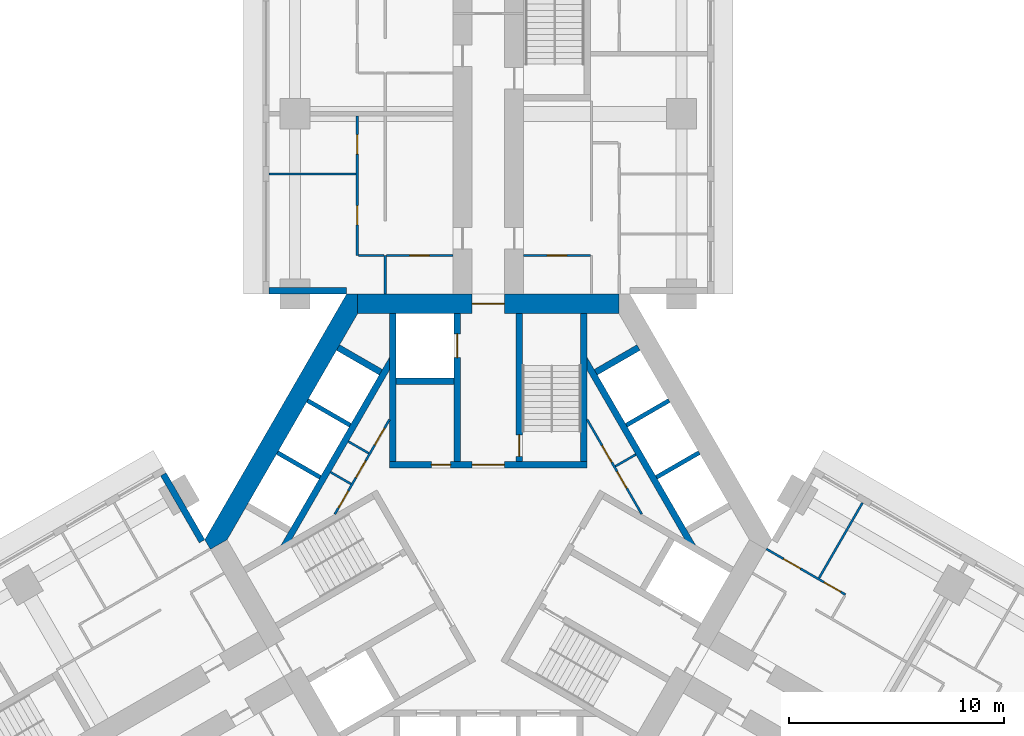
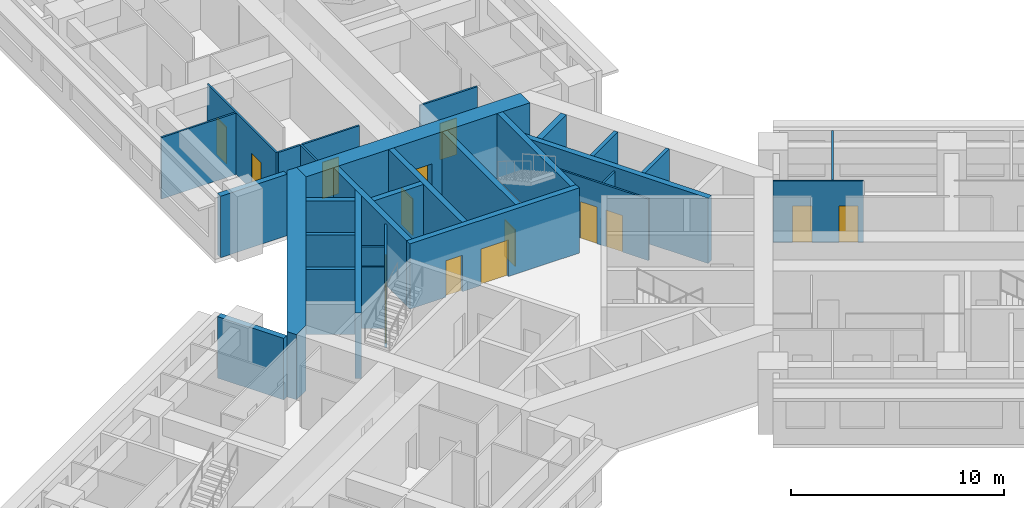
# One storey, part 8 of 16: 31 walls, 16 doors, 16 openings.
"""IFC4 building model written with IfcOpenShell, lengths in metres."""

from ifc_helpers import new_model, si_unit, direction, frame, frame_2d, origin, place, context, subcontext, project, spatial, polyline, rectangle, outline, extrude, material, layer, layer_set, type_object, element, fill, save


model = new_model("IFC4")

# Units and contexts
model_context = context("Model", 3, precision=1e-05, world=origin(), true_north=direction((0.0, 1.0)))
body_context = subcontext(model_context, "Body", "Model", "MODEL_VIEW")
ifc_project = project(units=[si_unit("LENGTHUNIT", "METRE"), si_unit("AREAUNIT", "SQUARE_METRE"), si_unit("VOLUMEUNIT", "CUBIC_METRE"), si_unit("PLANEANGLEUNIT", "RADIAN"), si_unit("MASSUNIT", "GRAM", prefix="KILO")], contexts=[model_context])

# Site, building, storey
site_placement = place(None, origin())
site = spatial("IfcSite", under=ifc_project, at=site_placement, CompositionType="ELEMENT")
building_placement = place(site_placement, origin())
building = spatial("IfcBuilding", under=site, at=building_placement, Name="Impinga Residences", CompositionType="ELEMENT")
storey_placement = place(building_placement, frame((0.0, 0.0, 74.75)))
storey = spatial("IfcBuildingStorey", under=building, at=storey_placement, Name="L18", CompositionType="ELEMENT", Elevation=74.75)

# Wall, openings, doors
ifc_material_1 = material(Name="Concrete blockwork", Category="masonry")
ifc_layer_1 = layer(ifc_material_1, 0.10009765625)
ifc_layer_set_1 = layer_set([ifc_layer_1], Name="CP1 core room partition, blockwork 100")
wall_type_1 = type_object("IfcWallType", Name="CP1 core room partition, blockwork 100", PredefinedType="PARTITIONING", material=ifc_layer_set_1)
wall_1_placement = place(storey_placement, frame((4.60009765625, 5.595703125, 0.0), z_axis=(0.0, 0.0, 1.0), x_axis=(0.499975622669, -0.866039477586, 0.0)))
wall_1 = element("IfcWall", 1, at=wall_1_placement, inside=storey, type_object=wall_type_1, Name="Core room partition, blockwork L18:CORE:mid:FP", PredefinedType="PARTITIONING", context=body_context, shape_type="SweptSolid", body=[
    extrude(rectangle(XDim=5.092041015625, YDim=0.10009765625, at=frame_2d((2.5458984375, 0.0))), origin(), (0.0, 0.0, 1.0), 3.530029296875),
])
opening_1_placement = place(wall_1_placement, frame((1.39599609375, 0.0, 0.0)))
opening_1 = element("IfcOpeningElement", 2, at=opening_1_placement, cuts=wall_1, Name="Opening D6", PredefinedType="OPENING", context=body_context, shape_type="SweptSolid", body=[
    extrude(rectangle(XDim=0.89990234375, YDim=2.10009765625, at=frame_2d((0.449951171875, 1.050048828125))), frame((0.0, 0.06005859375, 0.0), z_axis=(0.0, -1.0, 0.0), x_axis=(1.0, 0.0, 0.0)), (0.0, 0.0, 1.0), 0.1201171875),
])
opening_2_placement = place(wall_1_placement, frame((2.7958984375, 0.0, 0.0)))
opening_2 = element("IfcOpeningElement", 3, at=opening_2_placement, cuts=wall_1, Name="Opening D6", PredefinedType="OPENING", context=body_context, shape_type="SweptSolid", body=[
    extrude(rectangle(XDim=0.89990234375, YDim=2.10009765625, at=frame_2d((0.449951171875, 1.050048828125))), frame((0.0, 0.06005859375, 0.0), z_axis=(0.0, -1.0, 0.0), x_axis=(1.0, 0.0, 0.0)), (0.0, 0.0, 1.0), 0.1201171875),
])
ifc_material_2 = material(Name="Timber door set", Category="wood")
door_type_1 = type_object("IfcDoorType", Name="D6 riser and store door 900x2100", OperationType="SINGLE_SWING_LEFT", PredefinedType="DOOR", material=ifc_material_2)
door_1_placement = place(opening_1_placement, origin())
door_1 = element("IfcDoor", 4, at=door_1_placement, inside=storey, type_object=door_type_1, Name="Housekeeping store door", OperationType="SINGLE_SWING_LEFT", OverallHeight=2.10009765625, OverallWidth=0.89990234375, PredefinedType="DOOR", context=body_context, shape_type="SweptSolid", body=[
    extrude(rectangle(XDim=0.89990234375, YDim=2.10009765625, at=frame_2d((0.449951171875, 1.050048828125))), frame((0.0, 0.02490234375, 0.0), z_axis=(0.0, -1.0, 0.0), x_axis=(1.0, 0.0, 0.0)), (0.0, 0.0, 1.0), 0.050048828125),
])
fill(opening_1, door_1)
door_2_placement = place(opening_2_placement, origin())
door_2 = element("IfcDoor", 5, at=door_2_placement, inside=storey, type_object=door_type_1, Name="Linen store door", OperationType="SINGLE_SWING_RIGHT", OverallHeight=2.10009765625, OverallWidth=0.89990234375, PredefinedType="DOOR", context=body_context, shape_type="SweptSolid", body=[
    extrude(rectangle(XDim=0.89990234375, YDim=2.10009765625, at=frame_2d((0.449951171875, 1.050048828125))), frame((0.0, 0.02490234375, 0.0), z_axis=(0.0, -1.0, 0.0), x_axis=(1.0, 0.0, 0.0)), (0.0, 0.0, 1.0), 0.050048828125),
])
fill(opening_2, door_2)

# Wall
wall_2_placement = place(storey_placement, frame((5.916259765625, 3.415771484375, 0.0), z_axis=(0.0, 0.0, 1.0), x_axis=(0.866008176907, 0.50002983664, 0.0)))
element("IfcWall", 6, at=wall_2_placement, inside=storey, type_object=wall_type_1, Name="Core room partition, blockwork L18:CORE:mid:FS", PredefinedType="PARTITIONING", context=body_context, shape_type="SweptSolid", body=[
    extrude(rectangle(XDim=1.10009765625, YDim=0.10009765625, at=frame_2d((0.550048828125, 0.0))), origin(), (0.0, 0.0, 1.0), 3.530029296875),
])

# Wall, openings, doors
wall_3_placement = place(storey_placement, frame((-7.14599609375, 1.185791015625, 0.0), z_axis=(0.0, 0.0, 1.0), x_axis=(0.499975622669, 0.866039477586, 0.0)))
wall_3 = element("IfcWall", 7, at=wall_3_placement, inside=storey, type_object=wall_type_1, Name="Core room partition, blockwork L18:CORE:high:FP", PredefinedType="PARTITIONING", context=body_context, shape_type="SweptSolid", body=[
    extrude(rectangle(XDim=5.092041015625, YDim=0.10009765625, at=frame_2d((2.5458984375, 0.0))), origin(), (0.0, 0.0, 1.0), 3.530029296875),
])
opening_3_placement = place(wall_3_placement, frame((0.347900390625, 0.0, 0.0)))
opening_3 = element("IfcOpeningElement", 8, at=opening_3_placement, cuts=wall_3, Name="Opening D6", PredefinedType="OPENING", context=body_context, shape_type="SweptSolid", body=[
    extrude(rectangle(XDim=0.89990234375, YDim=2.10009765625, at=frame_2d((0.449951171875, 1.050048828125))), frame((0.0, 0.06005859375, 0.0), z_axis=(0.0, -1.0, 0.0), x_axis=(1.0, 0.0, 0.0)), (0.0, 0.0, 1.0), 0.1201171875),
])
opening_4_placement = place(wall_3_placement, frame((1.970947265625, 0.0, 0.0)))
opening_4 = element("IfcOpeningElement", 9, at=opening_4_placement, cuts=wall_3, Name="Opening D6", PredefinedType="OPENING", context=body_context, shape_type="SweptSolid", body=[
    extrude(rectangle(XDim=0.89990234375, YDim=2.10009765625, at=frame_2d((0.449951171875, 1.050048828125))), frame((0.0, 0.06005859375, 0.0), z_axis=(0.0, -1.0, 0.0), x_axis=(1.0, 0.0, 0.0)), (0.0, 0.0, 1.0), 0.1201171875),
])
opening_5_placement = place(wall_3_placement, frame((3.718994140625, 0.0, 0.0)))
opening_5 = element("IfcOpeningElement", 10, at=opening_5_placement, cuts=wall_3, Name="Opening D6", PredefinedType="OPENING", context=body_context, shape_type="SweptSolid", body=[
    extrude(rectangle(XDim=0.89990234375, YDim=2.10009765625, at=frame_2d((0.449951171875, 1.050048828125))), frame((0.0, 0.06005859375, 0.0), z_axis=(0.0, -1.0, 0.0), x_axis=(1.0, 0.0, 0.0)), (0.0, 0.0, 1.0), 0.1201171875),
])
door_3_placement = place(opening_3_placement, origin())
door_3 = element("IfcDoor", 11, at=door_3_placement, inside=storey, type_object=door_type_1, Name="Cleaners' store door", OperationType="SINGLE_SWING_LEFT", OverallHeight=2.10009765625, OverallWidth=0.89990234375, PredefinedType="DOOR", context=body_context, shape_type="SweptSolid", body=[
    extrude(rectangle(XDim=0.89990234375, YDim=2.10009765625, at=frame_2d((0.449951171875, 1.050048828125))), frame((0.0, 0.02490234375, 0.0), z_axis=(0.0, -1.0, 0.0), x_axis=(1.0, 0.0, 0.0)), (0.0, 0.0, 1.0), 0.050048828125),
])
fill(opening_3, door_3)
door_4_placement = place(opening_4_placement, origin())
door_4 = element("IfcDoor", 12, at=door_4_placement, inside=storey, type_object=door_type_1, Name="Parcel store door", OperationType="SINGLE_SWING_LEFT", OverallHeight=2.10009765625, OverallWidth=0.89990234375, PredefinedType="DOOR", context=body_context, shape_type="SweptSolid", body=[
    extrude(rectangle(XDim=0.89990234375, YDim=2.10009765625, at=frame_2d((0.449951171875, 1.050048828125))), frame((0.0, 0.02490234375, 0.0), z_axis=(0.0, -1.0, 0.0), x_axis=(1.0, 0.0, 0.0)), (0.0, 0.0, 1.0), 0.050048828125),
])
fill(opening_4, door_4)
door_5_placement = place(opening_5_placement, origin())
door_5 = element("IfcDoor", 13, at=door_5_placement, inside=storey, type_object=door_type_1, Name="Comms cupboard door", OperationType="SINGLE_SWING_RIGHT", OverallHeight=2.10009765625, OverallWidth=0.89990234375, PredefinedType="DOOR", context=body_context, shape_type="SweptSolid", body=[
    extrude(rectangle(XDim=0.89990234375, YDim=2.10009765625, at=frame_2d((0.449951171875, 1.050048828125))), frame((0.0, 0.02490234375, 0.0), z_axis=(0.0, -1.0, 0.0), x_axis=(1.0, 0.0, 0.0)), (0.0, 0.0, 1.0), 0.050048828125),
])
fill(opening_5, door_5)

# Walls
for number, where, z_axis, x_axis, name in (
    (14, (-6.391357421875, 2.593017578125, 0.0), (0.0, 0.0, 1.0), (-0.866008176907, 0.50002983664, 0.0), "Core room partition, blockwork L18:CORE:high:FS1"),
    (15, (-5.566162109375, 4.02197265625, 0.0), (0.0, 0.0, 1.0), (-0.866008176907, 0.50002983664, 0.0), "Core room partition, blockwork L18:CORE:high:FS2"),
):
    element("IfcWall", number, at=place(storey_placement, frame(where, z_axis=z_axis, x_axis=x_axis)), inside=storey, type_object=wall_type_1, Name=name, PredefinedType="PARTITIONING", context=body_context, shape_type="SweptSolid", body=[
        extrude(rectangle(XDim=1.10009765625, YDim=0.10009765625, at=frame_2d((0.550048828125, 0.0))), origin(), (0.0, 0.0, 1.0), 3.530029296875),
    ])
ifc_material_3 = material(Name="Terracotta rainscreen on blockwork", Category="masonry")
ifc_layer_2 = layer(ifc_material_3, 0.300048828125)
ifc_layer_set_2 = layer_set([ifc_layer_2], Name="EW1 external wall, terracotta rainscreen on blockwork 300")
wall_type_2 = type_object("IfcWallType", Name="EW1 external wall, terracotta rainscreen on blockwork 300", PredefinedType="SOLIDWALL", material=ifc_layer_set_2)
wall_4_placement = place(storey_placement, frame((-15.1298828125, 3.042724609375, 0.0), z_axis=(0.0, 0.0, 1.0), x_axis=(0.500012057535, -0.866018442252, 0.0)))
element("IfcWall", 16, at=wall_4_placement, inside=storey, type_object=wall_type_2, Name="External wall EW1 L18", PredefinedType="SOLIDWALL", context=body_context, shape_type="SweptSolid", body=[
    extrude(rectangle(XDim=3.60009765625, YDim=0.300048828125, at=frame_2d((1.800048828125, 0.0))), origin(), (0.0, 0.0, 1.0), 3.530029296875),
])
wall_5_placement = place(storey_placement, frame((-6.60009765625, 11.58154296875, 0.0), z_axis=(0.0, 0.0, 1.0), x_axis=(-1.0, 0.0, 0.0)))
element("IfcWall", 17, at=wall_5_placement, inside=storey, type_object=wall_type_2, Name="External wall EW1 L18", PredefinedType="SOLIDWALL", context=body_context, shape_type="SweptSolid", body=[
    extrude(rectangle(XDim=3.599853515625, YDim=0.300048828125, at=frame_2d((1.7998046875, 0.0))), origin(), (0.0, 0.0, 1.0), 3.530029296875),
])
ifc_material_4 = material(Name="Gypsum board on steel studs", Category="steel")
ifc_layer_3 = layer(ifc_material_4, 0.10009765625)
ifc_layer_set_3 = layer_set([ifc_layer_3], Name="Gypsum board on steel studs")
wall_type_3 = type_object("IfcWallType", Name="IP1 partition 100", PredefinedType="PARTITIONING", material=ifc_layer_set_3)
wall_6_placement = place(storey_placement, frame((-4.800048828125, 11.431640625, 0.0), z_axis=(0.0, 0.0, 1.0), x_axis=(0.0, 1.0, 0.0)))
element("IfcWall", 18, at=wall_6_placement, inside=storey, type_object=wall_type_3, Name="Partition L18-NA1:DIV0", PredefinedType="PARTITIONING", context=body_context, shape_type="SweptSolid", body=[
    extrude(rectangle(XDim=1.7998046875, YDim=0.10009765625, at=frame_2d((0.89990234375, 0.0))), origin(), (0.0, 0.0, 1.0), 3.530029296875),
])

# Wall, openings, doors
wall_7_placement = place(storey_placement, frame((-6.10009765625, 13.2314453125, 0.0), z_axis=(0.0, 0.0, 1.0), x_axis=(0.0, 1.0, 0.0)))
wall_7 = element("IfcWall", 19, at=wall_7_placement, inside=storey, type_object=wall_type_3, Name="Partition L18-NA1:STRIP", PredefinedType="PARTITIONING", context=body_context, shape_type="SweptSolid", body=[
    extrude(rectangle(XDim=6.5, YDim=0.10009765625, at=frame_2d((3.25, 0.0))), origin(), (0.0, 0.0, 1.0), 3.530029296875),
])
opening_6_placement = place(wall_7_placement, frame((1.425048828125, 0.0, 0.0)))
opening_6 = element("IfcOpeningElement", 20, at=opening_6_placement, cuts=wall_7, Name="Opening D2", PredefinedType="OPENING", context=body_context, shape_type="SweptSolid", body=[
    extrude(rectangle(XDim=0.89990234375, YDim=2.10009765625, at=frame_2d((0.449951171875, 1.050048828125))), frame((0.0, 0.06005859375, 0.0), z_axis=(0.0, -1.0, 0.0), x_axis=(1.0, 0.0, 0.0)), (0.0, 0.0, 1.0), 0.1201171875),
])
opening_7_placement = place(wall_7_placement, frame((4.72509765625, 0.0, 0.0)))
opening_7 = element("IfcOpeningElement", 21, at=opening_7_placement, cuts=wall_7, Name="Opening D2", PredefinedType="OPENING", context=body_context, shape_type="SweptSolid", body=[
    extrude(rectangle(XDim=0.89990234375, YDim=2.10009765625, at=frame_2d((0.449951171875, 1.050048828125))), frame((0.0, 0.06005859375, 0.0), z_axis=(0.0, -1.0, 0.0), x_axis=(1.0, 0.0, 0.0)), (0.0, 0.0, 1.0), 0.1201171875),
])
door_type_2 = type_object("IfcDoorType", Name="D2 internal door 900x2100", OperationType="SINGLE_SWING_LEFT", PredefinedType="DOOR", material=ifc_material_2)
door_6_placement = place(opening_6_placement, origin())
door_6 = element("IfcDoor", 22, at=door_6_placement, inside=storey, type_object=door_type_2, Name="Apartment L18-NA1 room door", OperationType="SINGLE_SWING_LEFT", OverallHeight=2.10009765625, OverallWidth=0.89990234375, PredefinedType="DOOR", context=body_context, shape_type="SweptSolid", body=[
    extrude(rectangle(XDim=0.89990234375, YDim=2.10009765625, at=frame_2d((0.449951171875, 1.050048828125))), frame((0.0, 0.02490234375, 0.0), z_axis=(0.0, -1.0, 0.0), x_axis=(1.0, 0.0, 0.0)), (0.0, 0.0, 1.0), 0.050048828125),
])
fill(opening_6, door_6)
door_7_placement = place(opening_7_placement, origin())
door_7 = element("IfcDoor", 23, at=door_7_placement, inside=storey, type_object=door_type_2, Name="Apartment L18-NA1 room door", OperationType="SINGLE_SWING_RIGHT", OverallHeight=2.10009765625, OverallWidth=0.89990234375, PredefinedType="DOOR", context=body_context, shape_type="SweptSolid", body=[
    extrude(rectangle(XDim=0.89990234375, YDim=2.10009765625, at=frame_2d((0.449951171875, 1.050048828125))), frame((0.0, 0.02490234375, 0.0), z_axis=(0.0, -1.0, 0.0), x_axis=(1.0, 0.0, 0.0)), (0.0, 0.0, 1.0), 0.050048828125),
])
fill(opening_7, door_7)

# Wall
wall_8_placement = place(storey_placement, frame((-4.85009765625, 13.2314453125, 0.0), z_axis=(0.0, 0.0, 1.0), x_axis=(-1.0, 0.0, 0.0)))
element("IfcWall", 24, at=wall_8_placement, inside=storey, type_object=wall_type_3, Name="Partition L18-NA1:SE0", PredefinedType="PARTITIONING", context=body_context, shape_type="SweptSolid", body=[
    extrude(rectangle(XDim=1.199951171875, YDim=0.10009765625, at=frame_2d((0.60009765625, 0.0))), origin(), (0.0, 0.0, 1.0), 3.530029296875),
])

# Wall, opening, door
wall_9_placement = place(storey_placement, frame((-1.64990234375, 13.2314453125, 0.0), z_axis=(0.0, 0.0, 1.0), x_axis=(-1.0, 0.0, 0.0)))
wall_9 = element("IfcWall", 25, at=wall_9_placement, inside=storey, type_object=wall_type_3, Name="Partition L18-NA1:IB1", PredefinedType="PARTITIONING", context=body_context, shape_type="SweptSolid", body=[
    extrude(rectangle(XDim=3.10009765625, YDim=0.10009765625, at=frame_2d((1.550048828125, 0.0))), origin(), (0.0, 0.0, 1.0), 3.530029296875),
])
opening_8_placement = place(wall_9_placement, frame((1.10009765625, 0.0, 0.0)))
opening_8 = element("IfcOpeningElement", 26, at=opening_8_placement, cuts=wall_9, Name="Opening D2", PredefinedType="OPENING", context=body_context, shape_type="SweptSolid", body=[
    extrude(rectangle(XDim=0.89990234375, YDim=2.10009765625, at=frame_2d((0.449951171875, 1.050048828125))), frame((0.0, 0.06005859375, 0.0), z_axis=(0.0, -1.0, 0.0), x_axis=(1.0, 0.0, 0.0)), (0.0, 0.0, 1.0), 0.1201171875),
])
door_8_placement = place(opening_8_placement, origin())
door_8 = element("IfcDoor", 27, at=door_8_placement, inside=storey, type_object=door_type_2, Name="Apartment L18-NA1 bathroom door", OperationType="SINGLE_SWING_LEFT", OverallHeight=2.10009765625, OverallWidth=0.89990234375, PredefinedType="DOOR", context=body_context, shape_type="SweptSolid", body=[
    extrude(rectangle(XDim=0.89990234375, YDim=2.10009765625, at=frame_2d((0.449951171875, 1.050048828125))), frame((0.0, 0.02490234375, 0.0), z_axis=(0.0, -1.0, 0.0), x_axis=(1.0, 0.0, 0.0)), (0.0, 0.0, 1.0), 0.050048828125),
])
fill(opening_8, door_8)

# Wall
wall_10_placement = place(storey_placement, frame((-6.14990234375, 17.031494140625, 0.0), z_axis=(0.0, 0.0, 1.0), x_axis=(-1.0, 0.0, 0.0)))
element("IfcWall", 28, at=wall_10_placement, inside=storey, type_object=wall_type_3, Name="Partition L18-NA1:OB1", PredefinedType="PARTITIONING", context=body_context, shape_type="SweptSolid", body=[
    extrude(rectangle(XDim=4.050048828125, YDim=0.10009765625, at=frame_2d((2.02490234375, 0.0))), origin(), (0.0, 0.0, 1.0), 3.530029296875),
])

# Wall, opening, door
wall_11_placement = place(storey_placement, frame((1.64990234375, 13.2314453125, 0.0), z_axis=(0.0, 0.0, 1.0), x_axis=(1.0, 0.0, 0.0)))
wall_11 = element("IfcWall", 29, at=wall_11_placement, inside=storey, type_object=wall_type_3, Name="Partition L18-NF1:IB1", PredefinedType="PARTITIONING", context=body_context, shape_type="SweptSolid", body=[
    extrude(rectangle(XDim=3.10009765625, YDim=0.10009765625, at=frame_2d((1.550048828125, 0.0))), origin(), (0.0, 0.0, 1.0), 3.530029296875),
])
opening_9_placement = place(wall_11_placement, frame((1.10009765625, 0.0, 0.0)))
opening_9 = element("IfcOpeningElement", 30, at=opening_9_placement, cuts=wall_11, Name="Opening D2", PredefinedType="OPENING", context=body_context, shape_type="SweptSolid", body=[
    extrude(rectangle(XDim=0.89990234375, YDim=2.10009765625, at=frame_2d((0.449951171875, 1.050048828125))), frame((0.0, 0.06005859375, 0.0), z_axis=(0.0, -1.0, 0.0), x_axis=(1.0, 0.0, 0.0)), (0.0, 0.0, 1.0), 0.1201171875),
])
door_9_placement = place(opening_9_placement, origin())
door_9 = element("IfcDoor", 31, at=door_9_placement, inside=storey, type_object=door_type_2, Name="Apartment L18-NF1 bathroom door", OperationType="SINGLE_SWING_LEFT", OverallHeight=2.10009765625, OverallWidth=0.89990234375, PredefinedType="DOOR", context=body_context, shape_type="SweptSolid", body=[
    extrude(rectangle(XDim=0.89990234375, YDim=2.10009765625, at=frame_2d((0.449951171875, 1.050048828125))), frame((0.0, 0.02490234375, 0.0), z_axis=(0.0, -1.0, 0.0), x_axis=(1.0, 0.0, 0.0)), (0.0, 0.0, 1.0), 0.050048828125),
])
fill(opening_9, door_9)

# Wall, openings, doors
wall_12_placement = place(storey_placement, frame((12.949951171875, -0.43310546875, 0.0), z_axis=(0.0, 0.0, 1.0), x_axis=(0.866028703517, -0.499994284652, 0.0)))
wall_12 = element("IfcWall", 32, at=wall_12_placement, inside=storey, type_object=wall_type_3, Name="Partition L18-EA1:STRIP", PredefinedType="PARTITIONING", context=body_context, shape_type="SweptSolid", body=[
    extrude(rectangle(XDim=4.25, YDim=0.10009765625, at=frame_2d((2.125, 0.0))), origin(), (0.0, 0.0, 1.0), 3.530029296875),
])
opening_10_placement = place(wall_12_placement, frame((0.925048828125, 0.0, 0.0)))
opening_10 = element("IfcOpeningElement", 33, at=opening_10_placement, cuts=wall_12, Name="Opening D2", PredefinedType="OPENING", context=body_context, shape_type="SweptSolid", body=[
    extrude(rectangle(XDim=0.89990234375, YDim=2.10009765625, at=frame_2d((0.449951171875, 1.050048828125))), frame((0.0, 0.06005859375, 0.0), z_axis=(0.0, -1.0, 0.0), x_axis=(1.0, 0.0, 0.0)), (0.0, 0.0, 1.0), 0.1201171875),
])
opening_11_placement = place(wall_12_placement, frame((3.10009765625, 0.0, 0.0)))
opening_11 = element("IfcOpeningElement", 34, at=opening_11_placement, cuts=wall_12, Name="Opening D2", PredefinedType="OPENING", context=body_context, shape_type="SweptSolid", body=[
    extrude(rectangle(XDim=0.89990234375, YDim=2.10009765625, at=frame_2d((0.449951171875, 1.050048828125))), frame((0.0, 0.06005859375, 0.0), z_axis=(0.0, -1.0, 0.0), x_axis=(1.0, 0.0, 0.0)), (0.0, 0.0, 1.0), 0.1201171875),
])
door_10_placement = place(opening_10_placement, origin())
door_10 = element("IfcDoor", 35, at=door_10_placement, inside=storey, type_object=door_type_2, Name="Apartment L18-EA1 room door", OperationType="SINGLE_SWING_LEFT", OverallHeight=2.10009765625, OverallWidth=0.89990234375, PredefinedType="DOOR", context=body_context, shape_type="SweptSolid", body=[
    extrude(rectangle(XDim=0.89990234375, YDim=2.10009765625, at=frame_2d((0.449951171875, 1.050048828125))), frame((0.0, 0.02490234375, 0.0), z_axis=(0.0, -1.0, 0.0), x_axis=(1.0, 0.0, 0.0)), (0.0, 0.0, 1.0), 0.050048828125),
])
fill(opening_10, door_10)
door_11_placement = place(opening_11_placement, origin())
door_11 = element("IfcDoor", 36, at=door_11_placement, inside=storey, type_object=door_type_2, Name="Apartment L18-EA1 room door", OperationType="SINGLE_SWING_RIGHT", OverallHeight=2.10009765625, OverallWidth=0.89990234375, PredefinedType="DOOR", context=body_context, shape_type="SweptSolid", body=[
    extrude(rectangle(XDim=0.89990234375, YDim=2.10009765625, at=frame_2d((0.449951171875, 1.050048828125))), frame((0.0, 0.02490234375, 0.0), z_axis=(0.0, -1.0, 0.0), x_axis=(1.0, 0.0, 0.0)), (0.0, 0.0, 1.0), 0.050048828125),
])
fill(opening_11, door_11)

# Wall
wall_13_placement = place(storey_placement, frame((15.39990234375, -1.789794921875, 0.0), z_axis=(0.0, 0.0, 1.0), x_axis=(0.499964223975, 0.866046058097, 0.0)))
element("IfcWall", 37, at=wall_13_placement, inside=storey, type_object=wall_type_3, Name="Partition L18-EA1:OB1", PredefinedType="PARTITIONING", context=body_context, shape_type="SweptSolid", body=[
    extrude(rectangle(XDim=4.050048828125, YDim=0.10009765625, at=frame_2d((2.02490234375, 0.0))), origin(), (0.0, 0.0, 1.0), 3.530029296875),
])

# Wall, opening, door
ifc_material_5 = material(Name="Concrete C70/85", Category="concrete")
ifc_layer_4 = layer(ifc_material_5, 0.89990234375)
ifc_layer_set_4 = layer_set([ifc_layer_4], Name="Concrete C70/85")
wall_type_4 = type_object("IfcWallType", Name="SW1 core wall 900", PredefinedType="SHEAR", material=ifc_layer_set_4)
wall_14_placement = place(storey_placement, frame((-6.080322265625, 10.9814453125, 0.0), z_axis=(0.0, 0.0, 1.0), x_axis=(1.0, 0.0, 0.0)))
wall_14 = element("IfcWall", 38, at=wall_14_placement, inside=storey, type_object=wall_type_4, Name="Core wall SW1 N:FACE L18", PredefinedType="SHEAR", context=body_context, shape_type="SweptSolid", body=[
    extrude(rectangle(XDim=12.16064453125, YDim=0.89990234375, at=frame_2d((6.080322265625, 0.0))), origin(), (0.0, 0.0, 1.0), 3.75),
])
opening_12_placement = place(wall_14_placement, frame((5.330322265625, 0.0, 0.0)))
opening_12 = element("IfcOpeningElement", 39, at=opening_12_placement, cuts=wall_14, Name="Opening D4", PredefinedType="OPENING", context=body_context, shape_type="SweptSolid", body=[
    extrude(rectangle(XDim=1.5, YDim=2.10009765625, at=frame_2d((0.75, 1.050048828125))), frame((0.0, 0.4599609375, 0.0), z_axis=(0.0, -1.0, 0.0), x_axis=(1.0, 0.0, 0.0)), (0.0, 0.0, 1.0), 0.919921875),
])
door_type_3 = type_object("IfcDoorType", Name="D4 lobby door pair 1500x2100", OperationType="DOUBLE_DOOR_DOUBLE_SWING", PredefinedType="DOOR", material=ifc_material_2)
door_12_placement = place(opening_12_placement, origin())
door_12 = element("IfcDoor", 40, at=door_12_placement, inside=storey, type_object=door_type_3, Name="Lobby door N", OperationType="DOUBLE_DOOR_DOUBLE_SWING", OverallHeight=2.10009765625, OverallWidth=1.5, PredefinedType="DOOR", context=body_context, shape_type="SweptSolid", body=[
    extrude(rectangle(XDim=1.5, YDim=2.10009765625, at=frame_2d((0.75, 1.050048828125))), frame((0.0, 0.02490234375, 0.0), z_axis=(0.0, -1.0, 0.0), x_axis=(1.0, 0.0, 0.0)), (0.0, 0.0, 1.0), 0.050048828125),
])
fill(opening_12, door_12)

# Wall
wall_15_placement = place(storey_placement, origin())
element("IfcWall", 41, at=wall_15_placement, inside=storey, type_object=wall_type_4, Name="Core wall SW1 E:EXPOSED L18", PredefinedType="SHEAR", context=body_context, shape_type="SweptSolid", body=[
    extrude(outline(polyline([(-6.60009765625, 11.431640625), (-13.199951171875, 0.0), (-12.940185546875, -0.449951171875), (-12.160888671875, 0.0), (-6.080322265625, 10.531494140625), (-6.080322265625, 11.431640625), (-6.60009765625, 11.431640625)])), origin(), (0.0, 0.0, 1.0), 3.75),
])

# Wall, openings, doors
ifc_layer_5 = layer(ifc_material_5, 0.300048828125)
ifc_layer_set_5 = layer_set([ifc_layer_5], Name="Concrete C70/85")
wall_type_5 = type_object("IfcWallType", Name="SW5 core inner wall, stairs, shafts and lobbies 300", PredefinedType="SHEAR", material=ifc_layer_set_5)
wall_16_placement = place(storey_placement, frame((-4.60009765625, 3.47998046875, 0.0), z_axis=(0.0, 0.0, 1.0), x_axis=(1.0, 0.0, 0.0)))
wall_16 = element("IfcWall", 42, at=wall_16_placement, inside=storey, type_object=wall_type_5, Name="Core wall SW5 N:ZONE L18", PredefinedType="SHEAR", context=body_context, shape_type="SweptSolid", body=[
    extrude(rectangle(XDim=9.2001953125, YDim=0.300048828125, at=frame_2d((4.60009765625, 0.0))), origin(), (0.0, 0.0, 1.0), 3.75),
])
opening_13_placement = place(wall_16_placement, frame((3.85009765625, 0.0, 0.0)))
opening_13 = element("IfcOpeningElement", 43, at=opening_13_placement, cuts=wall_16, Name="Opening D4", PredefinedType="OPENING", context=body_context, shape_type="SweptSolid", body=[
    extrude(rectangle(XDim=1.5, YDim=2.10009765625, at=frame_2d((0.75, 1.050048828125))), frame((0.0, 0.159912109375, 0.0), z_axis=(0.0, -1.0, 0.0), x_axis=(1.0, 0.0, 0.0)), (0.0, 0.0, 1.0), 0.320068359375),
])
opening_14_placement = place(wall_16_placement, frame((1.949951171875, 0.0, 0.0)))
opening_14 = element("IfcOpeningElement", 44, at=opening_14_placement, cuts=wall_16, Name="Opening D6", PredefinedType="OPENING", context=body_context, shape_type="SweptSolid", body=[
    extrude(rectangle(XDim=0.89990234375, YDim=2.10009765625, at=frame_2d((0.449951171875, 1.050048828125))), frame((0.0, 0.159912109375, 0.0), z_axis=(0.0, -1.0, 0.0), x_axis=(1.0, 0.0, 0.0)), (0.0, 0.0, 1.0), 0.320068359375),
])
door_13_placement = place(opening_13_placement, origin())
door_13 = element("IfcDoor", 45, at=door_13_placement, inside=storey, type_object=door_type_3, Name="Firefighting lobby door N", OperationType="DOUBLE_DOOR_DOUBLE_SWING", OverallHeight=2.10009765625, OverallWidth=1.5, PredefinedType="DOOR", context=body_context, shape_type="SweptSolid", body=[
    extrude(rectangle(XDim=1.5, YDim=2.10009765625, at=frame_2d((0.75, 1.050048828125))), frame((0.0, 0.02490234375, 0.0), z_axis=(0.0, -1.0, 0.0), x_axis=(1.0, 0.0, 0.0)), (0.0, 0.0, 1.0), 0.050048828125),
])
fill(opening_13, door_13)
door_14_placement = place(opening_14_placement, origin())
door_14 = element("IfcDoor", 46, at=door_14_placement, inside=storey, type_object=door_type_1, Name="Riser door N", OperationType="SINGLE_SWING_LEFT", OverallHeight=2.10009765625, OverallWidth=0.89990234375, PredefinedType="DOOR", context=body_context, shape_type="SweptSolid", body=[
    extrude(rectangle(XDim=0.89990234375, YDim=2.10009765625, at=frame_2d((0.449951171875, 1.050048828125))), frame((0.0, 0.02490234375, 0.0), z_axis=(0.0, -1.0, 0.0), x_axis=(1.0, 0.0, 0.0)), (0.0, 0.0, 1.0), 0.050048828125),
])
fill(opening_14, door_14)

# Wall, opening, door
wall_17_placement = place(storey_placement, frame((1.449951171875, 3.6298828125, 0.0), z_axis=(0.0, 0.0, 1.0), x_axis=(0.0, 1.0, 0.0)))
wall_17 = element("IfcWall", 47, at=wall_17_placement, inside=storey, type_object=wall_type_5, Name="Core wall SW5 N:ST-IN L18", PredefinedType="SHEAR", context=body_context, shape_type="SweptSolid", body=[
    extrude(rectangle(XDim=6.901611328125, YDim=0.300048828125, at=frame_2d((3.45068359375, 0.0))), origin(), (0.0, 0.0, 1.0), 3.75),
])
opening_15_placement = place(wall_17_placement, frame((0.25, 0.0, 0.0)))
opening_15 = element("IfcOpeningElement", 48, at=opening_15_placement, cuts=wall_17, Name="Opening D5", PredefinedType="OPENING", context=body_context, shape_type="SweptSolid", body=[
    extrude(rectangle(XDim=1.0, YDim=2.10009765625, at=frame_2d((0.5, 1.050048828125))), frame((0.0, 0.159912109375, 0.0), z_axis=(0.0, -1.0, 0.0), x_axis=(1.0, 0.0, 0.0)), (0.0, 0.0, 1.0), 0.320068359375),
])
door_type_4 = type_object("IfcDoorType", Name="D5 stair door 1000x2100", OperationType="SINGLE_SWING_LEFT", PredefinedType="DOOR", material=ifc_material_2)
door_15_placement = place(opening_15_placement, origin())
door_15 = element("IfcDoor", 49, at=door_15_placement, inside=storey, type_object=door_type_4, Name="Stair door N", OperationType="SINGLE_SWING_LEFT", OverallHeight=2.10009765625, OverallWidth=1.0, PredefinedType="DOOR", context=body_context, shape_type="SweptSolid", body=[
    extrude(rectangle(XDim=1.0, YDim=2.10009765625, at=frame_2d((0.5, 1.050048828125))), frame((0.0, 0.02490234375, 0.0), z_axis=(0.0, -1.0, 0.0), x_axis=(1.0, 0.0, 0.0)), (0.0, 0.0, 1.0), 0.050048828125),
])
fill(opening_15, door_15)

# Wall
wall_18_placement = place(storey_placement, frame((4.449951171875, 3.6298828125, 0.0), z_axis=(0.0, 0.0, 1.0), x_axis=(0.0, 1.0, 0.0)))
element("IfcWall", 50, at=wall_18_placement, inside=storey, type_object=wall_type_5, Name="Core wall SW5 N:ST-OUT L18", PredefinedType="SHEAR", context=body_context, shape_type="SweptSolid", body=[
    extrude(rectangle(XDim=6.901611328125, YDim=0.300048828125, at=frame_2d((3.45068359375, 0.0))), origin(), (0.0, 0.0, 1.0), 3.75),
])

# Wall, opening, door
wall_19_placement = place(storey_placement, frame((-1.449951171875, 3.6298828125, 0.0), z_axis=(0.0, 0.0, 1.0), x_axis=(0.0, 1.0, 0.0)))
wall_19 = element("IfcWall", 51, at=wall_19_placement, inside=storey, type_object=wall_type_5, Name="Core wall SW5 N:FF-IN L18", PredefinedType="SHEAR", context=body_context, shape_type="SweptSolid", body=[
    extrude(rectangle(XDim=6.901611328125, YDim=0.300048828125, at=frame_2d((3.45068359375, 0.0))), origin(), (0.0, 0.0, 1.0), 3.75),
])
opening_16_placement = place(wall_19_placement, frame((4.85009765625, 0.0, 0.0)))
opening_16 = element("IfcOpeningElement", 52, at=opening_16_placement, cuts=wall_19, Name="Opening LD2", PredefinedType="OPENING", context=body_context, shape_type="SweptSolid", body=[
    extrude(rectangle(XDim=1.10009765625, YDim=2.10009765625, at=frame_2d((0.550048828125, 1.050048828125))), frame((0.0, 0.159912109375, 0.0), z_axis=(0.0, -1.0, 0.0), x_axis=(1.0, 0.0, 0.0)), (0.0, 0.0, 1.0), 0.320068359375),
])
ifc_material_6 = material(Name="Steel lift landing door", Category="steel")
door_type_5 = type_object("IfcDoorType", Name="LD2 firefighting lift landing door 1100x2100", OperationType="DOUBLE_DOOR_SLIDING", PredefinedType="DOOR", material=ifc_material_6)
door_16_placement = place(opening_16_placement, origin())
door_16 = element("IfcDoor", 53, at=door_16_placement, inside=storey, type_object=door_type_5, Name="Firefighting lift landing door F1", OperationType="DOUBLE_DOOR_SLIDING", OverallHeight=2.10009765625, OverallWidth=1.10009765625, PredefinedType="DOOR", context=body_context, shape_type="SweptSolid", body=[
    extrude(rectangle(XDim=1.10009765625, YDim=2.10009765625, at=frame_2d((0.550048828125, 1.050048828125))), frame((0.0, 0.02490234375, 0.0), z_axis=(0.0, -1.0, 0.0), x_axis=(1.0, 0.0, 0.0)), (0.0, 0.0, 1.0), 0.050048828125),
])
fill(opening_16, door_16)

# Walls
wall_20_placement = place(storey_placement, frame((-4.449951171875, 3.6298828125, 0.0), z_axis=(0.0, 0.0, 1.0), x_axis=(0.0, 1.0, 0.0)))
element("IfcWall", 54, at=wall_20_placement, inside=storey, type_object=wall_type_5, Name="Core wall SW5 N:FF-OUT L18", PredefinedType="SHEAR", context=body_context, shape_type="SweptSolid", body=[
    extrude(rectangle(XDim=6.901611328125, YDim=0.300048828125, at=frame_2d((3.45068359375, 0.0))), origin(), (0.0, 0.0, 1.0), 3.75),
])
wall_21_placement = place(storey_placement, frame((-4.300048828125, 7.3798828125, 0.0), z_axis=(0.0, 0.0, 1.0), x_axis=(1.0, 0.0, 0.0)))
element("IfcWall", 55, at=wall_21_placement, inside=storey, type_object=wall_type_5, Name="Core wall SW5 N:FF-RS L18", PredefinedType="SHEAR", context=body_context, shape_type="SweptSolid", body=[
    extrude(rectangle(XDim=2.699951171875, YDim=0.300048828125, at=frame_2d((1.35009765625, 0.0))), origin(), (0.0, 0.0, 1.0), 3.75),
])
wall_22_placement = place(storey_placement, frame((4.449951171875, 8.455322265625, 0.0), z_axis=(0.0, 0.0, 1.0), x_axis=(0.500002290144, -0.866024081565, 0.0)))
element("IfcWall", 56, at=wall_22_placement, inside=storey, type_object=wall_type_5, Name="Core wall SW5 W:BANK-FRONT L18", PredefinedType="SHEAR", context=body_context, shape_type="SweptSolid", body=[
    extrude(rectangle(XDim=10.1953125, YDim=0.300048828125, at=frame_2d((5.09765625, 0.0))), origin(), (0.0, 0.0, 1.0), 3.75),
])
wall_23_placement = place(storey_placement, frame((5.003662109375, 7.79638671875, 0.0), z_axis=(0.0, 0.0, 1.0), x_axis=(0.866053019151, 0.499952165731, 0.0)))
element("IfcWall", 57, at=wall_23_placement, inside=storey, type_object=wall_type_5, Name="Core wall SW5 W:BANK-L L18", PredefinedType="SHEAR", context=body_context, shape_type="SweptSolid", body=[
    extrude(rectangle(XDim=2.300048828125, YDim=0.300048828125, at=frame_2d((1.14990234375, 0.0))), origin(), (0.0, 0.0, 1.0), 3.75),
])
wall_24_placement = place(storey_placement, frame((-9.547607421875, -0.3740234375, 0.0), z_axis=(0.0, 0.0, 1.0), x_axis=(0.500002290144, 0.866024081565, 0.0)))
element("IfcWall", 58, at=wall_24_placement, inside=storey, type_object=wall_type_5, Name="Core wall SW5 E:BANK-FRONT L18", PredefinedType="SHEAR", context=body_context, shape_type="SweptSolid", body=[
    extrude(rectangle(XDim=10.1953125, YDim=0.300048828125, at=frame_2d((5.09765625, 0.0))), origin(), (0.0, 0.0, 1.0), 3.75),
])
wall_25_placement = place(storey_placement, frame((-5.003662109375, 7.79638671875, 0.0), z_axis=(0.0, 0.0, 1.0), x_axis=(-0.866053019151, 0.499952165731, 0.0)))
element("IfcWall", 59, at=wall_25_placement, inside=storey, type_object=wall_type_5, Name="Core wall SW5 E:BANK-R L18", PredefinedType="SHEAR", context=body_context, shape_type="SweptSolid", body=[
    extrude(rectangle(XDim=2.300048828125, YDim=0.300048828125, at=frame_2d((1.14990234375, 0.0))), origin(), (0.0, 0.0, 1.0), 3.75),
])
ifc_layer_6 = layer(ifc_material_5, 0.199951171875)
ifc_layer_set_6 = layer_set([ifc_layer_6], Name="Concrete C70/85")
wall_type_6 = type_object("IfcWallType", Name="SW6 lift shaft divider wall 200", PredefinedType="SHEAR", material=ifc_layer_set_6)
for number, where, z_axis, x_axis, name in (
    (60, (6.4287109375, 5.328125, 0.0), (0.0, 0.0, 1.0), (0.866007057882, 0.500031774688, 0.0), "Core wall SW6 W:BANK-D1 L18"),
    (61, (7.82861328125, 2.9033203125, 0.0), (0.0, 0.0, 1.0), (0.866053019151, 0.499952165731, 0.0), "Core wall SW6 W:BANK-D2 L18"),
    (62, (-7.82861328125, 2.9033203125, 0.0), (0.0, 0.0, 1.0), (-0.866053019151, 0.499952165731, 0.0), "Core wall SW6 E:BANK-D1 L18"),
    (63, (-6.4287109375, 5.328125, 0.0), (0.0, 0.0, 1.0), (-0.866007057882, 0.500031774688, 0.0), "Core wall SW6 E:BANK-D2 L18"),
):
    element("IfcWall", number, at=place(storey_placement, frame(where, z_axis=z_axis, x_axis=x_axis)), inside=storey, type_object=wall_type_6, Name=name, PredefinedType="SHEAR", context=body_context, shape_type="SweptSolid", body=[
        extrude(rectangle(XDim=2.300048828125, YDim=0.199951171875, at=frame_2d((1.14990234375, 0.0))), origin(), (0.0, 0.0, 1.0), 3.75),
    ])

save(model, "model.ifc")
